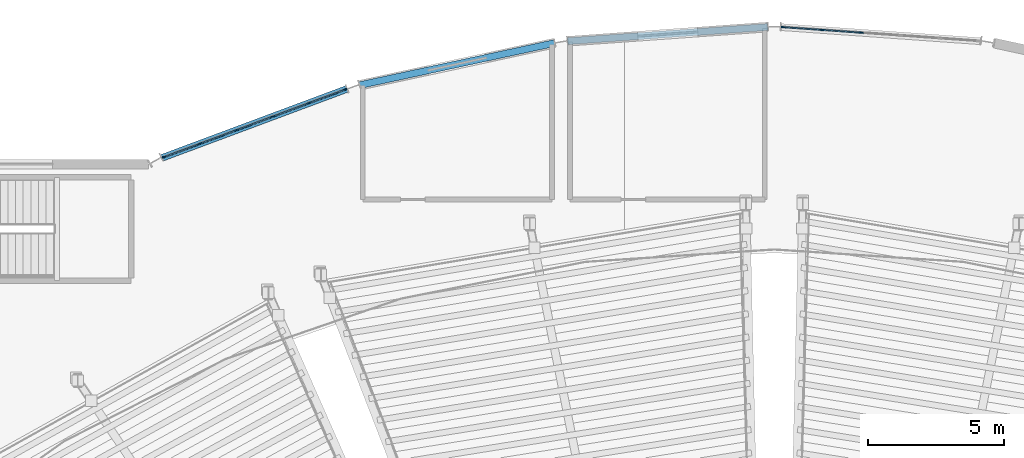
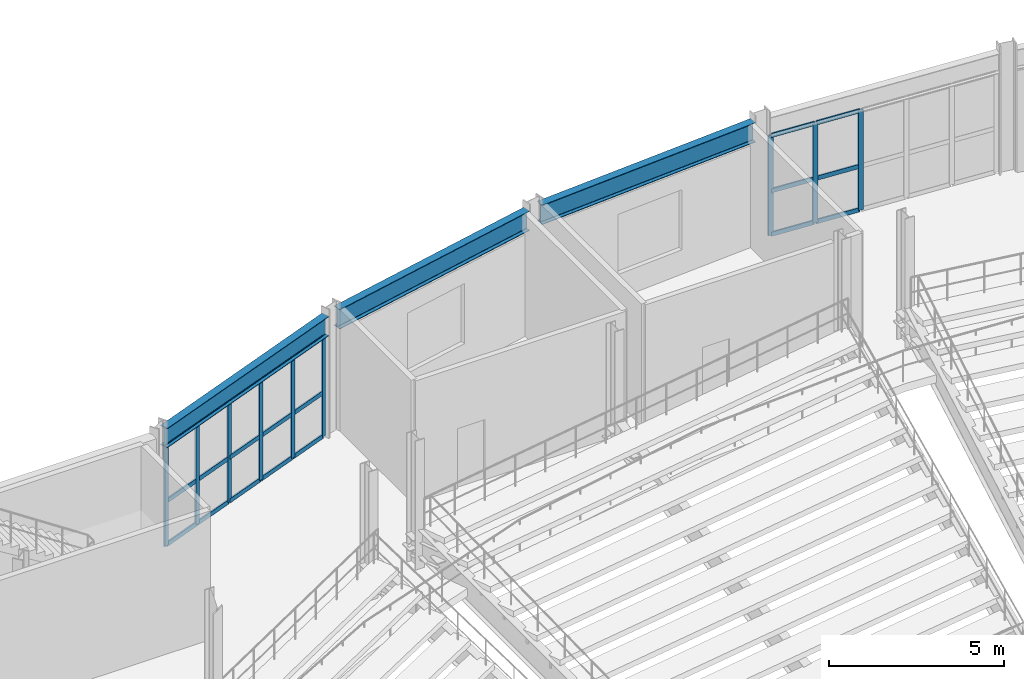
# One storey, part 37 of 81: 30 members, 3 beams, 2 elements without a shape of their own.
"""IFC4 building model written with IfcOpenShell, lengths in metres."""

from ifc_helpers import new_model, si_unit, direction, frame, origin, origin_2d, place, context, subcontext, project, spatial, rectangle, i_section, extrude, material, material_profile, profile_set, type_object, element, aggregate, save


model = new_model("IFC4")

# Units and contexts
model_context = context("Model", 3, precision=1e-05, world=origin(), true_north=direction((0.0, 1.0)))
body_context = subcontext(model_context, "Body", "Model", "MODEL_VIEW")
ifc_project = project(units=[si_unit("LENGTHUNIT", "METRE"), si_unit("AREAUNIT", "SQUARE_METRE"), si_unit("VOLUMEUNIT", "CUBIC_METRE"), si_unit("PLANEANGLEUNIT", "RADIAN"), si_unit("MASSUNIT", "GRAM", prefix="KILO")], contexts=[model_context])

# Site, building, storey
site_placement = place(None, origin())
site = spatial("IfcSite", under=ifc_project, at=site_placement, CompositionType="ELEMENT")
building_placement = place(site_placement, origin())
building = spatial("IfcBuilding", under=site, at=building_placement, Name="Glasvene Arena", CompositionType="ELEMENT")
storey_placement = place(building_placement, frame((0.0, 0.0, 15.0)))
storey = spatial("IfcBuildingStorey", under=building, at=storey_placement, Name="L03", CompositionType="ELEMENT", Elevation=15.0)

# Beams
ifc_material_1 = material(Name="Steel S355J2", Category="steel")
ifc_material_profile_1 = material_profile(ifc_material_1, i_section(OverallWidth=0.253662109375, OverallDepth=0.68359375, WebThickness=0.012451171875, FlangeThickness=0.01904296875, FilletRadius=0.01513671875, at=origin_2d()), Name="UKB 686x254x140")
ifc_profile_set_1 = profile_set([ifc_material_profile_1], Name="Steel S355J2")
beam_type = type_object("IfcBeamType", Name="BM-GIRD-686", PredefinedType="BEAM", material=ifc_profile_set_1)
beam_1_placement = place(storey_placement, frame((91.760498046875, 117.98291015625, 3.908203125), z_axis=(-0.997501616337, -0.070643650844, 0.0), x_axis=(0.070643650844, -0.997501616337, 0.0)))
element("IfcBeam", 1, at=beam_1_placement, inside=storey, type_object=beam_type, Name="Bowl ring chord beam L03-11", PredefinedType="BEAM", context=body_context, shape_type="SweptSolid", body=[
    extrude(i_section(OverallWidth=0.253662109375, OverallDepth=0.68359375, WebThickness=0.012451171875, FlangeThickness=0.01904296875, FilletRadius=0.01513671875, at=origin_2d()), origin(), (0.0, 0.0, 1.0), 7.361083984375),
])
beam_2_placement = place(storey_placement, frame((83.943603515625, 117.395263671875, 3.908203125), z_axis=(-0.97744150895, -0.211206289161, 0.0), x_axis=(0.211206289161, -0.97744150895, 0.0)))
element("IfcBeam", 2, at=beam_2_placement, inside=storey, type_object=beam_type, Name="Bowl ring chord beam L03-12", PredefinedType="BEAM", context=body_context, shape_type="SweptSolid", body=[
    extrude(i_section(OverallWidth=0.253662109375, OverallDepth=0.68359375, WebThickness=0.012451171875, FlangeThickness=0.01904296875, FilletRadius=0.01513671875, at=origin_2d()), origin(), (0.0, 0.0, 1.0), 7.3251953125),
])
beam_3_placement = place(storey_placement, frame((76.32421875, 115.713623046875, 3.908203125), z_axis=(-0.937013245498, -0.349293827259, 0.0), x_axis=(0.349293827259, -0.937013245498, 0.0)))
element("IfcBeam", 3, at=beam_3_placement, inside=storey, type_object=beam_type, Name="Bowl ring chord beam L03-13", PredefinedType="BEAM", context=body_context, shape_type="SweptSolid", body=[
    extrude(i_section(OverallWidth=0.253662109375, OverallDepth=0.68359375, WebThickness=0.012451171875, FlangeThickness=0.01904296875, FilletRadius=0.01513671875, at=origin_2d()), origin(), (0.0, 0.0, 1.0), 7.255859375),
])

# Curtain wall, members
ifc_material_2 = material(Name="Low-emissivity laminated double glazing", Category="glass")
curtain_wall_type_1 = type_object("IfcCurtainWallType", Name="CW-FAC-L03-712x350", PredefinedType="USERDEFINED", material=ifc_material_2)
curtain_wall_1_placement = place(storey_placement, frame((69.58837890625, 113.20263671875, 0.0)))
curtain_wall_1 = element("IfcCurtainWall", 4, at=curtain_wall_1_placement, inside=storey, type_object=curtain_wall_type_1, Name="Unitised curtain wall CW-F-L03-150-729-1144-22", ObjectType="CURTAIN WALL", PredefinedType="USERDEFINED")
ifc_material_3 = material(Name="Anodised architectural aluminium", Category="aluminium")
ifc_material_profile_2 = material_profile(ifc_material_3, rectangle(XDim=0.050048828125, YDim=0.159912109375, at=origin_2d()), Name="ALU MULLION 50x160")
ifc_profile_set_2 = profile_set([ifc_material_profile_2], Name="Anodised architectural aluminium")
member_type_1 = type_object("IfcMemberType", Name="CW-MUL-150", PredefinedType="MULLION", material=ifc_profile_set_2)
member_1_placement = place(storey_placement, frame((69.61181640625, 113.21142578125, 0.06005859375), z_axis=(0.0, 0.0, 1.0), x_axis=(-0.349298487055, 0.937011508436, 0.0)))
member_1 = element("IfcMember", 5, at=member_1_placement, type_object=member_type_1, Name="CW-036 mullion 1", PredefinedType="MULLION", context=body_context, shape_type="SweptSolid", body=[
    extrude(rectangle(XDim=0.050048828125, YDim=0.159912109375, at=origin_2d()), origin(), (0.0, 0.0, 1.0), 3.501953125),
])
member_2_placement = place(storey_placement, frame((70.923583984375, 113.700439453125, 0.06005859375), z_axis=(0.0, 0.0, 1.0), x_axis=(-0.349298487055, 0.937011508436, 0.0)))
member_2 = element("IfcMember", 6, at=member_2_placement, type_object=member_type_1, Name="CW-036 mullion 2", PredefinedType="MULLION", context=body_context, shape_type="SweptSolid", body=[
    extrude(rectangle(XDim=0.050048828125, YDim=0.159912109375, at=origin_2d()), origin(), (0.0, 0.0, 1.0), 3.501953125),
])
member_3_placement = place(storey_placement, frame((72.2587890625, 114.1982421875, 0.06005859375), z_axis=(0.0, 0.0, 1.0), x_axis=(-0.349298487055, 0.937011508436, 0.0)))
member_3 = element("IfcMember", 7, at=member_3_placement, type_object=member_type_1, Name="CW-036 mullion 3", PredefinedType="MULLION", context=body_context, shape_type="SweptSolid", body=[
    extrude(rectangle(XDim=0.050048828125, YDim=0.159912109375, at=origin_2d()), origin(), (0.0, 0.0, 1.0), 3.501953125),
])
member_4_placement = place(storey_placement, frame((73.593994140625, 114.69580078125, 0.06005859375), z_axis=(0.0, 0.0, 1.0), x_axis=(-0.349298487055, 0.937011508436, 0.0)))
member_4 = element("IfcMember", 8, at=member_4_placement, type_object=member_type_1, Name="CW-036 mullion 4", PredefinedType="MULLION", context=body_context, shape_type="SweptSolid", body=[
    extrude(rectangle(XDim=0.050048828125, YDim=0.159912109375, at=origin_2d()), origin(), (0.0, 0.0, 1.0), 3.501953125),
])
member_5_placement = place(storey_placement, frame((74.92919921875, 115.193603515625, 0.06005859375), z_axis=(0.0, 0.0, 1.0), x_axis=(-0.349298487055, 0.937011508436, 0.0)))
member_5 = element("IfcMember", 9, at=member_5_placement, type_object=member_type_1, Name="CW-036 mullion 5", PredefinedType="MULLION", context=body_context, shape_type="SweptSolid", body=[
    extrude(rectangle(XDim=0.050048828125, YDim=0.159912109375, at=origin_2d()), origin(), (0.0, 0.0, 1.0), 3.501953125),
])
member_6_placement = place(storey_placement, frame((76.240966796875, 115.6826171875, 0.06005859375), z_axis=(0.0, 0.0, 1.0), x_axis=(-0.349298487055, 0.937011508436, 0.0)))
member_6 = element("IfcMember", 10, at=member_6_placement, type_object=member_type_1, Name="CW-036 mullion 6", PredefinedType="MULLION", context=body_context, shape_type="SweptSolid", body=[
    extrude(rectangle(XDim=0.050048828125, YDim=0.159912109375, at=origin_2d()), origin(), (0.0, 0.0, 1.0), 3.501953125),
])

curtain_wall_type_2 = type_object("IfcCurtainWallType", Name="CW-FAC-L03-723x350", PredefinedType="USERDEFINED", material=ifc_material_2)
curtain_wall_2_placement = place(storey_placement, frame((92.303955078125, 117.978515625, 0.0)))
curtain_wall_2 = element("IfcCurtainWall", 11, at=curtain_wall_2_placement, inside=storey, type_object=curtain_wall_type_2, Name="Unitised curtain wall CW-F-L03-150-959-1177-25", ObjectType="CURTAIN WALL", PredefinedType="USERDEFINED")
member_7_placement = place(storey_placement, frame((92.328857421875, 117.976806640625, 0.06005859375), z_axis=(0.0, 0.0, 1.0), x_axis=(0.070652459706, 0.997500992449, 0.0)))
member_7 = element("IfcMember", 12, at=member_7_placement, type_object=member_type_1, Name="CW-037 mullion 1", PredefinedType="MULLION", context=body_context, shape_type="SweptSolid", body=[
    extrude(rectangle(XDim=0.050048828125, YDim=0.159912109375, at=origin_2d()), origin(), (0.0, 0.0, 1.0), 3.501953125),
])
member_8_placement = place(storey_placement, frame((93.74658203125, 117.876220703125, 0.06005859375), z_axis=(0.0, 0.0, 1.0), x_axis=(0.070652459706, 0.997500992449, 0.0)))
member_8 = element("IfcMember", 13, at=member_8_placement, type_object=member_type_1, Name="CW-037 mullion 2", PredefinedType="MULLION", context=body_context, shape_type="SweptSolid", body=[
    extrude(rectangle(XDim=0.050048828125, YDim=0.159912109375, at=origin_2d()), origin(), (0.0, 0.0, 1.0), 3.501953125),
])
member_9_placement = place(storey_placement, frame((95.189208984375, 117.774169921875, 0.06005859375), z_axis=(0.0, 0.0, 1.0), x_axis=(0.070652459706, 0.997500992449, 0.0)))
member_9 = element("IfcMember", 14, at=member_9_placement, type_object=member_type_1, Name="CW-037 mullion 3", PredefinedType="MULLION", context=body_context, shape_type="SweptSolid", body=[
    extrude(rectangle(XDim=0.050048828125, YDim=0.159912109375, at=origin_2d()), origin(), (0.0, 0.0, 1.0), 3.501953125),
])

# Member
ifc_material_profile_3 = material_profile(ifc_material_3, rectangle(XDim=0.050048828125, YDim=0.14990234375, at=origin_2d()), Name="ALU TRANSOM 50x150")
ifc_profile_set_3 = profile_set([ifc_material_profile_3], Name="Anodised architectural aluminium")
member_type_2 = type_object("IfcMemberType", Name="CW-TRN-150", PredefinedType="USERDEFINED", material=ifc_profile_set_3)
member_10_placement = place(storey_placement, frame((69.63525390625, 113.22021484375, 0.0849609375), z_axis=(0.937033379868, 0.349239810177, 0.0), x_axis=(-0.349239810177, 0.937033379868, 0.0)))
member_10 = element("IfcMember", 15, at=member_10_placement, type_object=member_type_2, Name="CW-036 transom 1.1", ObjectType="TRANSOM", PredefinedType="USERDEFINED", context=body_context, shape_type="SweptSolid", body=[
    extrude(rectangle(XDim=0.050048828125, YDim=0.14990234375, at=origin_2d()), origin(), (0.0, 0.0, 1.0), 1.349853515625),
])

member_11_placement = place(storey_placement, frame((69.63525390625, 113.22021484375, 1.60302734375), z_axis=(0.937033379868, 0.349239810177, 0.0), x_axis=(-0.349239810177, 0.937033379868, 0.0)))
member_11 = element("IfcMember", 16, at=member_11_placement, type_object=member_type_2, Name="CW-036 transom 1.2", ObjectType="TRANSOM", PredefinedType="USERDEFINED", context=body_context, shape_type="SweptSolid", body=[
    extrude(rectangle(XDim=0.050048828125, YDim=0.14990234375, at=origin_2d()), origin(), (0.0, 0.0, 1.0), 1.349853515625),
])

member_12_placement = place(storey_placement, frame((69.63525390625, 113.22021484375, 3.537109375), z_axis=(0.937033379868, 0.349239810177, 0.0), x_axis=(-0.349239810177, 0.937033379868, 0.0)))
member_12 = element("IfcMember", 17, at=member_12_placement, type_object=member_type_2, Name="CW-036 transom 1.3", ObjectType="TRANSOM", PredefinedType="USERDEFINED", context=body_context, shape_type="SweptSolid", body=[
    extrude(rectangle(XDim=0.050048828125, YDim=0.14990234375, at=origin_2d()), origin(), (0.0, 0.0, 1.0), 1.349853515625),
])

member_13_placement = place(storey_placement, frame((70.947021484375, 113.709228515625, 0.0849609375), z_axis=(0.937020593317, 0.349274115417, 0.0), x_axis=(-0.349274115417, 0.937020593317, 0.0)))
member_13 = element("IfcMember", 18, at=member_13_placement, type_object=member_type_2, Name="CW-036 transom 2.1", ObjectType="TRANSOM", PredefinedType="USERDEFINED", context=body_context, shape_type="SweptSolid", body=[
    extrude(rectangle(XDim=0.050048828125, YDim=0.14990234375, at=origin_2d()), origin(), (0.0, 0.0, 1.0), 1.375),
])

member_14_placement = place(storey_placement, frame((70.947021484375, 113.709228515625, 1.60302734375), z_axis=(0.937020593317, 0.349274115417, 0.0), x_axis=(-0.349274115417, 0.937020593317, 0.0)))
member_14 = element("IfcMember", 19, at=member_14_placement, type_object=member_type_2, Name="CW-036 transom 2.2", ObjectType="TRANSOM", PredefinedType="USERDEFINED", context=body_context, shape_type="SweptSolid", body=[
    extrude(rectangle(XDim=0.050048828125, YDim=0.14990234375, at=origin_2d()), origin(), (0.0, 0.0, 1.0), 1.375),
])

member_15_placement = place(storey_placement, frame((70.947021484375, 113.709228515625, 3.537109375), z_axis=(0.937020593317, 0.349274115417, 0.0), x_axis=(-0.349274115417, 0.937020593317, 0.0)))
member_15 = element("IfcMember", 20, at=member_15_placement, type_object=member_type_2, Name="CW-036 transom 2.3", ObjectType="TRANSOM", PredefinedType="USERDEFINED", context=body_context, shape_type="SweptSolid", body=[
    extrude(rectangle(XDim=0.050048828125, YDim=0.14990234375, at=origin_2d()), origin(), (0.0, 0.0, 1.0), 1.375),
])

member_16_placement = place(storey_placement, frame((72.2822265625, 114.206787109375, 0.0849609375), z_axis=(0.937020593317, 0.349274115417, 0.0), x_axis=(-0.349274115417, 0.937020593317, 0.0)))
member_16 = element("IfcMember", 21, at=member_16_placement, type_object=member_type_2, Name="CW-036 transom 3.1", ObjectType="TRANSOM", PredefinedType="USERDEFINED", context=body_context, shape_type="SweptSolid", body=[
    extrude(rectangle(XDim=0.050048828125, YDim=0.14990234375, at=origin_2d()), origin(), (0.0, 0.0, 1.0), 1.375),
])

member_17_placement = place(storey_placement, frame((72.2822265625, 114.206787109375, 1.60302734375), z_axis=(0.937020593317, 0.349274115417, 0.0), x_axis=(-0.349274115417, 0.937020593317, 0.0)))
member_17 = element("IfcMember", 22, at=member_17_placement, type_object=member_type_2, Name="CW-036 transom 3.2", ObjectType="TRANSOM", PredefinedType="USERDEFINED", context=body_context, shape_type="SweptSolid", body=[
    extrude(rectangle(XDim=0.050048828125, YDim=0.14990234375, at=origin_2d()), origin(), (0.0, 0.0, 1.0), 1.375),
])

member_18_placement = place(storey_placement, frame((72.2822265625, 114.206787109375, 3.537109375), z_axis=(0.937020593317, 0.349274115417, 0.0), x_axis=(-0.349274115417, 0.937020593317, 0.0)))
member_18 = element("IfcMember", 23, at=member_18_placement, type_object=member_type_2, Name="CW-036 transom 3.3", ObjectType="TRANSOM", PredefinedType="USERDEFINED", context=body_context, shape_type="SweptSolid", body=[
    extrude(rectangle(XDim=0.050048828125, YDim=0.14990234375, at=origin_2d()), origin(), (0.0, 0.0, 1.0), 1.375),
])

member_19_placement = place(storey_placement, frame((73.617431640625, 114.70458984375, 0.0849609375), z_axis=(0.937020593317, 0.349274115417, 0.0), x_axis=(-0.349274115417, 0.937020593317, 0.0)))
member_19 = element("IfcMember", 24, at=member_19_placement, type_object=member_type_2, Name="CW-036 transom 4.1", ObjectType="TRANSOM", PredefinedType="USERDEFINED", context=body_context, shape_type="SweptSolid", body=[
    extrude(rectangle(XDim=0.050048828125, YDim=0.14990234375, at=origin_2d()), origin(), (0.0, 0.0, 1.0), 1.375),
])

member_20_placement = place(storey_placement, frame((73.617431640625, 114.70458984375, 1.60302734375), z_axis=(0.937020593317, 0.349274115417, 0.0), x_axis=(-0.349274115417, 0.937020593317, 0.0)))
member_20 = element("IfcMember", 25, at=member_20_placement, type_object=member_type_2, Name="CW-036 transom 4.2", ObjectType="TRANSOM", PredefinedType="USERDEFINED", context=body_context, shape_type="SweptSolid", body=[
    extrude(rectangle(XDim=0.050048828125, YDim=0.14990234375, at=origin_2d()), origin(), (0.0, 0.0, 1.0), 1.375),
])

member_21_placement = place(storey_placement, frame((73.617431640625, 114.70458984375, 3.537109375), z_axis=(0.937020593317, 0.349274115417, 0.0), x_axis=(-0.349274115417, 0.937020593317, 0.0)))
member_21 = element("IfcMember", 26, at=member_21_placement, type_object=member_type_2, Name="CW-036 transom 4.3", ObjectType="TRANSOM", PredefinedType="USERDEFINED", context=body_context, shape_type="SweptSolid", body=[
    extrude(rectangle(XDim=0.050048828125, YDim=0.14990234375, at=origin_2d()), origin(), (0.0, 0.0, 1.0), 1.375),
])

member_22_placement = place(storey_placement, frame((74.95263671875, 115.202392578125, 0.0849609375), z_axis=(0.937033379868, 0.349239810177, 0.0), x_axis=(-0.349239810177, 0.937033379868, 0.0)))
member_22 = element("IfcMember", 27, at=member_22_placement, type_object=member_type_2, Name="CW-036 transom 5.1", ObjectType="TRANSOM", PredefinedType="USERDEFINED", context=body_context, shape_type="SweptSolid", body=[
    extrude(rectangle(XDim=0.050048828125, YDim=0.14990234375, at=origin_2d()), origin(), (0.0, 0.0, 1.0), 1.349853515625),
])

member_23_placement = place(storey_placement, frame((74.95263671875, 115.202392578125, 1.60302734375), z_axis=(0.937033379868, 0.349239810177, 0.0), x_axis=(-0.349239810177, 0.937033379868, 0.0)))
member_23 = element("IfcMember", 28, at=member_23_placement, type_object=member_type_2, Name="CW-036 transom 5.2", ObjectType="TRANSOM", PredefinedType="USERDEFINED", context=body_context, shape_type="SweptSolid", body=[
    extrude(rectangle(XDim=0.050048828125, YDim=0.14990234375, at=origin_2d()), origin(), (0.0, 0.0, 1.0), 1.349853515625),
])

member_24_placement = place(storey_placement, frame((74.95263671875, 115.202392578125, 3.537109375), z_axis=(0.937033379868, 0.349239810177, 0.0), x_axis=(-0.349239810177, 0.937033379868, 0.0)))
member_24 = element("IfcMember", 29, at=member_24_placement, type_object=member_type_2, Name="CW-036 transom 5.3", ObjectType="TRANSOM", PredefinedType="USERDEFINED", context=body_context, shape_type="SweptSolid", body=[
    extrude(rectangle(XDim=0.050048828125, YDim=0.14990234375, at=origin_2d()), origin(), (0.0, 0.0, 1.0), 1.349853515625),
])

aggregate(curtain_wall_1, [member_1, member_2, member_3, member_4, member_5, member_6, member_10, member_11, member_12, member_13, member_14, member_15, member_16, member_17, member_18, member_19, member_20, member_21, member_22, member_23, member_24])

member_25_placement = place(storey_placement, frame((92.353759765625, 117.974853515625, 0.0849609375), z_axis=(0.997511739659, -0.070500562003, 0.0), x_axis=(0.070500562003, 0.997511739659, 0.0)))
member_25 = element("IfcMember", 30, at=member_25_placement, type_object=member_type_2, Name="CW-037 transom 1.1", ObjectType="TRANSOM", PredefinedType="USERDEFINED", context=body_context, shape_type="SweptSolid", body=[
    extrude(rectangle(XDim=0.050048828125, YDim=0.14990234375, at=origin_2d()), origin(), (0.0, 0.0, 1.0), 1.371337890625),
])

member_26_placement = place(storey_placement, frame((92.353759765625, 117.974853515625, 1.60302734375), z_axis=(0.997511739659, -0.070500562003, 0.0), x_axis=(0.070500562003, 0.997511739659, 0.0)))
member_26 = element("IfcMember", 31, at=member_26_placement, type_object=member_type_2, Name="CW-037 transom 1.2", ObjectType="TRANSOM", PredefinedType="USERDEFINED", context=body_context, shape_type="SweptSolid", body=[
    extrude(rectangle(XDim=0.050048828125, YDim=0.14990234375, at=origin_2d()), origin(), (0.0, 0.0, 1.0), 1.371337890625),
])

member_27_placement = place(storey_placement, frame((92.353759765625, 117.974853515625, 3.537109375), z_axis=(0.997511739659, -0.070500562003, 0.0), x_axis=(0.070500562003, 0.997511739659, 0.0)))
member_27 = element("IfcMember", 32, at=member_27_placement, type_object=member_type_2, Name="CW-037 transom 1.3", ObjectType="TRANSOM", PredefinedType="USERDEFINED", context=body_context, shape_type="SweptSolid", body=[
    extrude(rectangle(XDim=0.050048828125, YDim=0.14990234375, at=origin_2d()), origin(), (0.0, 0.0, 1.0), 1.371337890625),
])

member_28_placement = place(storey_placement, frame((93.771484375, 117.87451171875, 0.0849609375), z_axis=(0.997502003862, -0.070638178713, 0.0), x_axis=(0.070638178713, 0.997502003862, 0.0)))
member_28 = element("IfcMember", 33, at=member_28_placement, type_object=member_type_2, Name="CW-037 transom 2.1", ObjectType="TRANSOM", PredefinedType="USERDEFINED", context=body_context, shape_type="SweptSolid", body=[
    extrude(rectangle(XDim=0.050048828125, YDim=0.14990234375, at=origin_2d()), origin(), (0.0, 0.0, 1.0), 1.396240234375),
])

member_29_placement = place(storey_placement, frame((93.771484375, 117.87451171875, 1.60302734375), z_axis=(0.997502003862, -0.070638178713, 0.0), x_axis=(0.070638178713, 0.997502003862, 0.0)))
member_29 = element("IfcMember", 34, at=member_29_placement, type_object=member_type_2, Name="CW-037 transom 2.2", ObjectType="TRANSOM", PredefinedType="USERDEFINED", context=body_context, shape_type="SweptSolid", body=[
    extrude(rectangle(XDim=0.050048828125, YDim=0.14990234375, at=origin_2d()), origin(), (0.0, 0.0, 1.0), 1.396240234375),
])

member_30_placement = place(storey_placement, frame((93.771484375, 117.87451171875, 3.537109375), z_axis=(0.997502003862, -0.070638178713, 0.0), x_axis=(0.070638178713, 0.997502003862, 0.0)))
member_30 = element("IfcMember", 35, at=member_30_placement, type_object=member_type_2, Name="CW-037 transom 2.3", ObjectType="TRANSOM", PredefinedType="USERDEFINED", context=body_context, shape_type="SweptSolid", body=[
    extrude(rectangle(XDim=0.050048828125, YDim=0.14990234375, at=origin_2d()), origin(), (0.0, 0.0, 1.0), 1.396240234375),
])

aggregate(curtain_wall_2, [member_7, member_8, member_9, member_25, member_26, member_27, member_28, member_29, member_30])

save(model, "model.ifc")
